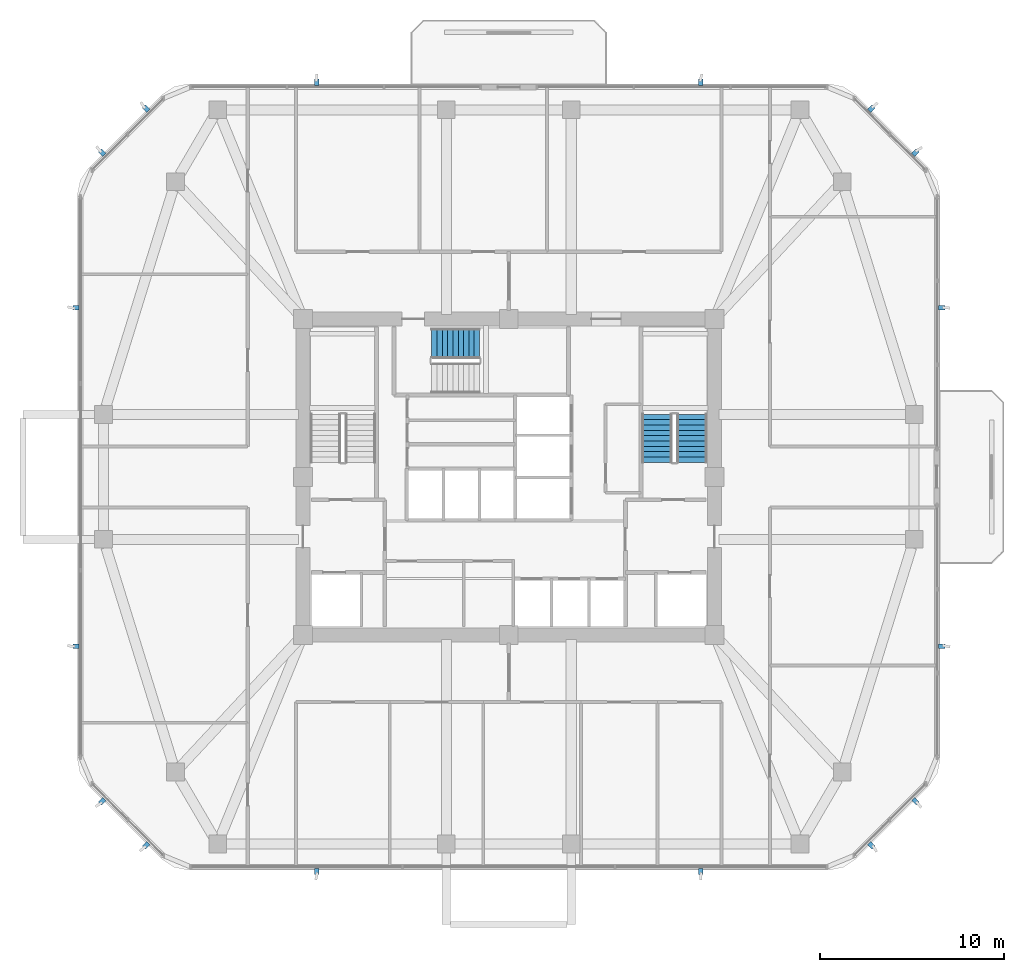
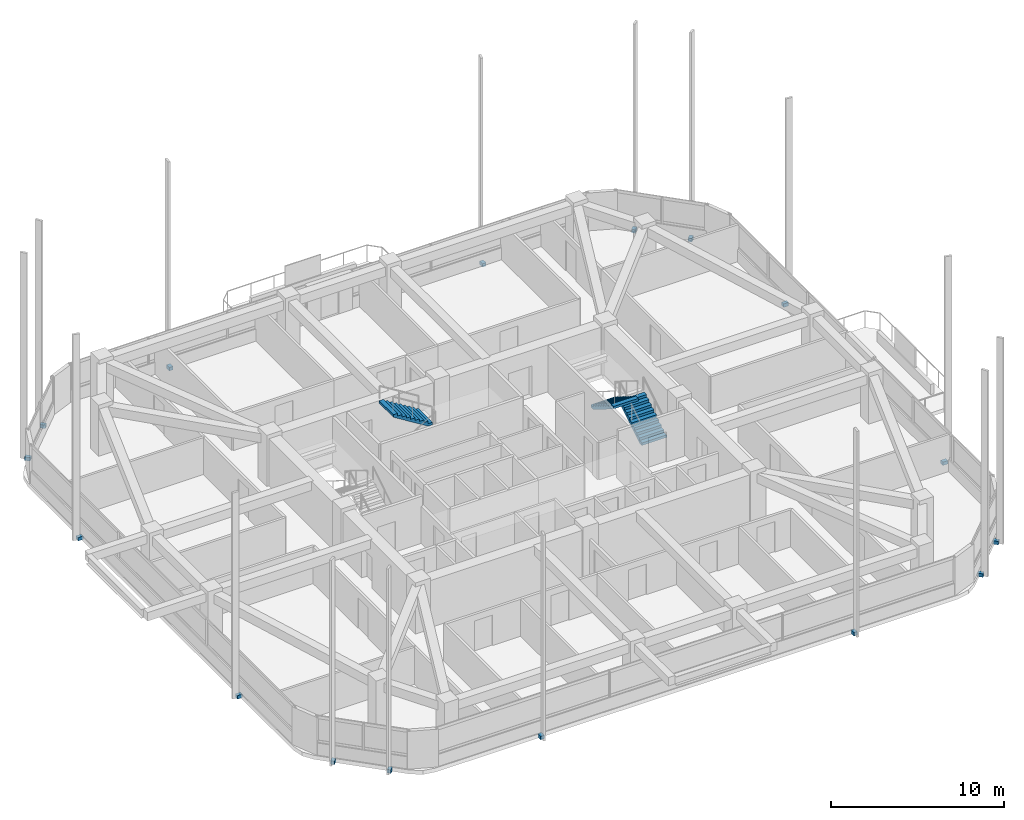
# One storey, part 11 of 14: 16 discrete accessories, 3 stair flights, 2 elements without a shape of their own.
"""IFC4 building model written with IfcOpenShell, lengths in metres."""

from ifc_helpers import new_model, si_unit, derived_unit, direction, frame, origin, origin_2d, place, context, subcontext, project, spatial, polyline, rectangle, outline, extrude, material, type_object, element, aggregate, save


model = new_model("IFC4")

# Units and contexts
model_context = context("Model", 3, precision=1e-05, world=origin(), true_north=direction((0.0, 1.0)))
body_context = subcontext(model_context, "Body", "Model", "MODEL_VIEW")
ifc_project = project(units=[si_unit("LENGTHUNIT", "METRE"), si_unit("AREAUNIT", "SQUARE_METRE"), si_unit("VOLUMEUNIT", "CUBIC_METRE"), si_unit("PLANEANGLEUNIT", "RADIAN"), si_unit("MASSUNIT", "GRAM", prefix="KILO"), derived_unit("THERMALTRANSMITTANCEUNIT", [(si_unit("POWERUNIT", "WATT"), 1), (si_unit("LENGTHUNIT", "METRE"), -2), (si_unit("THERMODYNAMICTEMPERATUREUNIT", "KELVIN"), -1)])], contexts=[model_context])

# Site, building, storey
site_placement = place(None, origin())
site = spatial("IfcSite", under=ifc_project, at=site_placement, CompositionType="ELEMENT")
building_placement = place(site_placement, origin())
building = spatial("IfcBuilding", under=site, at=building_placement, Name="Koralith Skygarden Medical Center", CompositionType="ELEMENT")
storey_placement = place(building_placement, frame((0.0, 0.0, 145.6201171875)))
storey = spatial("IfcBuildingStorey", under=building, at=storey_placement, Name="L37", CompositionType="ELEMENT", Elevation=145.6201171875)

# Stair, stair flights
ifc_material_1 = material(Name="Concrete C45/55", Category="concrete")
stair_type = type_object("IfcStairType", Name="Core Exit Dogleg Concrete Stair", PredefinedType="HALF_TURN_STAIR", material=ifc_material_1)
stair_1_placement = place(storey_placement, origin())
stair_1 = element("IfcStair", 1, at=stair_1_placement, inside=storey, type_object=stair_type, Name="L37 Smokeproof Exit Stair ST2", PredefinedType="HALF_TURN_STAIR")
stair_flight_type = type_object("IfcStairFlightType", Name="Core Exit Concrete Stair Flight 1650", PredefinedType="STRAIGHT", material=ifc_material_1)
stair_flight_1_placement = place(storey_placement, frame((46.97509765625, 26.699951171875, 0.0), z_axis=(0.0, 0.0, 1.0), x_axis=(0.0, 1.0, 0.0)))
stair_flight_1 = element("IfcStairFlight", 2, at=stair_flight_1_placement, type_object=stair_flight_type, Name="ST2 flight 1", NumberOfRisers=10, NumberOfTreads=9, PredefinedType="STRAIGHT", RiserHeight=0.18, TreadLength=0.29, context=body_context, shape_type="SweptSolid", body=[
    extrude(outline(polyline([(0.0, 0.0), (0.0, 0.179931640625), (0.2900390625, 0.179931640625), (0.2900390625, 0.360107421875), (0.580078125, 0.360107421875), (0.580078125, 0.5400390625), (0.8701171875, 0.5400390625), (0.8701171875, 0.719970703125), (1.159912109375, 0.719970703125), (1.159912109375, 0.89990234375), (1.449951171875, 0.89990234375), (1.449951171875, 1.080078125), (1.739990234375, 1.080078125), (1.739990234375, 1.260009765625), (2.030029296875, 1.260009765625), (2.030029296875, 1.43994140625), (2.320068359375, 1.43994140625), (2.320068359375, 1.6201171875), (2.610107421875, 1.6201171875), (2.610107421875, 1.800048828125), (2.610107421875, 1.443603515625), (0.2841796875, 0.0), (0.0, 0.0)])), frame((0.0, 0.824951171875, 0.0), z_axis=(0.0, -1.0, 0.0), x_axis=(1.0, 0.0, 0.0)), (0.0, 0.0, 1.0), 1.64990234375),
])
stair_flight_2_placement = place(storey_placement, frame((45.074951171875, 29.31005859375, 1.7998046875), z_axis=(0.0, 0.0, 1.0), x_axis=(0.0, -1.0, 0.0)))
stair_flight_2 = element("IfcStairFlight", 3, at=stair_flight_2_placement, type_object=stair_flight_type, Name="ST2 flight 2", NumberOfRisers=10, NumberOfTreads=9, PredefinedType="STRAIGHT", RiserHeight=0.18, TreadLength=0.29, context=body_context, shape_type="SweptSolid", body=[
    extrude(outline(polyline([(0.0, 0.0), (0.0, 0.179931640625), (0.2900390625, 0.179931640625), (0.2900390625, 0.360107421875), (0.580078125, 0.360107421875), (0.580078125, 0.5400390625), (0.8701171875, 0.5400390625), (0.8701171875, 0.719970703125), (1.159912109375, 0.719970703125), (1.159912109375, 0.89990234375), (1.449951171875, 0.89990234375), (1.449951171875, 1.080078125), (1.739990234375, 1.080078125), (1.739990234375, 1.260009765625), (2.030029296875, 1.260009765625), (2.030029296875, 1.43994140625), (2.320068359375, 1.43994140625), (2.320068359375, 1.6201171875), (2.610107421875, 1.6201171875), (2.610107421875, 1.800048828125), (2.610107421875, 1.443603515625), (0.2841796875, 0.0), (0.0, 0.0)])), frame((0.0, 0.824951171875, 0.0), z_axis=(0.0, -1.0, 0.0), x_axis=(1.0, 0.0, 0.0)), (0.0, 0.0, 1.0), 1.64990234375),
])
aggregate(stair_1, [stair_flight_1, stair_flight_2])

# Stair, stair flight
stair_2_placement = place(storey_placement, origin())
stair_2 = element("IfcStair", 4, at=stair_2_placement, inside=storey, type_object=stair_type, Name="L37 Smokeproof Exit Stair ST3", PredefinedType="HALF_TURN_STAIR")
stair_flight_3_placement = place(storey_placement, frame((35.409912109375, 33.175048828125, 1.7998046875), z_axis=(0.0, 0.0, 1.0), x_axis=(-1.0, 0.0, 0.0)))
stair_flight_3 = element("IfcStairFlight", 5, at=stair_flight_3_placement, type_object=stair_flight_type, Name="ST3 flight 2", NumberOfRisers=10, NumberOfTreads=9, PredefinedType="STRAIGHT", RiserHeight=0.18, TreadLength=0.29, context=body_context, shape_type="SweptSolid", body=[
    extrude(outline(polyline([(0.0, 0.0), (0.0, 0.179931640625), (0.2900390625, 0.179931640625), (0.2900390625, 0.360107421875), (0.580078125, 0.360107421875), (0.580078125, 0.5400390625), (0.8701171875, 0.5400390625), (0.8701171875, 0.719970703125), (1.159912109375, 0.719970703125), (1.159912109375, 0.89990234375), (1.449951171875, 0.89990234375), (1.449951171875, 1.080078125), (1.739990234375, 1.080078125), (1.739990234375, 1.260009765625), (2.030029296875, 1.260009765625), (2.030029296875, 1.43994140625), (2.320068359375, 1.43994140625), (2.320068359375, 1.6201171875), (2.610107421875, 1.6201171875), (2.610107421875, 1.800048828125), (2.610107421875, 1.443603515625), (0.2841796875, 0.0), (0.0, 0.0)])), frame((0.0, 0.824951171875, 0.0), z_axis=(0.0, -1.0, 0.0), x_axis=(1.0, 0.0, 0.0)), (0.0, 0.0, 1.0), 1.64990234375),
])
aggregate(stair_2, [stair_flight_3])

# Discrete accessories
ifc_material_2 = material(Name="Steel ASTM A572 Grade 50", Category="steel")
discrete_accessory_type = type_object("IfcDiscreteAccessoryType", Name="Facade Fin Structural Anchor Bracket", PredefinedType="BRACKET", material=ifc_material_2)
for number, where, z_axis, x_axis, name in (
    (6, (26.5400390625, 4.419921875, -0.26025390625), (0.0, 0.0, 1.0), (0.0, -1.0, 0.0), "L37 S Solar Fin Anchor Bracket 1"),
    (7, (47.4599609375, 4.419921875, -0.26025390625), (0.0, 0.0, 1.0), (0.0, -1.0, 0.0), "L37 S Solar Fin Anchor Bracket 2"),
    (8, (56.741943359375, 5.843994140625, -0.26025390625), (0.0, 0.0, 1.0), (0.707106781187, -0.707106781187, 0.0), "L37 SE Solar Fin Anchor Bracket 1"),
    (9, (59.139892578125, 8.241943359375, -0.26025390625), (0.0, 0.0, 1.0), (0.707106781187, -0.707106781187, 0.0), "L37 SE Solar Fin Anchor Bracket 2"),
    (10, (60.56396484375, 16.68994140625, -0.26025390625), (0.0, 0.0, 1.0), (1.0, 0.0, 0.0), "L37 E Solar Fin Anchor Bracket 1"),
    (11, (60.56396484375, 35.110107421875, -0.26025390625), (0.0, 0.0, 1.0), (1.0, 0.0, 0.0), "L37 E Solar Fin Anchor Bracket 2"),
    (12, (59.139892578125, 43.55810546875, -0.26025390625), (0.0, 0.0, 1.0), (0.707106781187, 0.707106781187, 0.0), "L37 NE Solar Fin Anchor Bracket 1"),
    (13, (56.741943359375, 45.9560546875, -0.26025390625), (0.0, 0.0, 1.0), (0.707106781187, 0.707106781187, 0.0), "L37 NE Solar Fin Anchor Bracket 2"),
    (14, (47.4599609375, 47.3798828125, -0.26025390625), (0.0, 0.0, 1.0), (0.0, 1.0, 0.0), "L37 N Solar Fin Anchor Bracket 1"),
    (15, (26.5400390625, 47.3798828125, -0.26025390625), (0.0, 0.0, 1.0), (0.0, 1.0, 0.0), "L37 N Solar Fin Anchor Bracket 2"),
    (16, (17.258056640625, 45.9560546875, -0.26025390625), (0.0, 0.0, 1.0), (-0.707106781187, 0.707106781187, 0.0), "L37 NW Solar Fin Anchor Bracket 1"),
    (17, (14.860107421875, 43.55810546875, -0.26025390625), (0.0, 0.0, 1.0), (-0.707106781187, 0.707106781187, 0.0), "L37 NW Solar Fin Anchor Bracket 2"),
    (18, (13.43603515625, 35.110107421875, -0.26025390625), (0.0, 0.0, 1.0), (-1.0, 0.0, 0.0), "L37 W Solar Fin Anchor Bracket 1"),
    (19, (13.43603515625, 16.68994140625, -0.26025390625), (0.0, 0.0, 1.0), (-1.0, 0.0, 0.0), "L37 W Solar Fin Anchor Bracket 2"),
    (20, (14.860107421875, 8.241943359375, -0.26025390625), (0.0, 0.0, 1.0), (-0.707106781187, -0.707106781187, 0.0), "L37 SW Solar Fin Anchor Bracket 1"),
    (21, (17.258056640625, 5.843994140625, -0.26025390625), (0.0, 0.0, 1.0), (-0.707106781187, -0.707106781187, 0.0), "L37 SW Solar Fin Anchor Bracket 2"),
):
    element("IfcDiscreteAccessory", number, at=place(storey_placement, frame(where, z_axis=z_axis, x_axis=x_axis)), inside=storey, type_object=discrete_accessory_type, Name=name, PredefinedType="BRACKET", context=body_context, shape_type="SweptSolid", body=[
        extrude(rectangle(XDim=0.340087890625, YDim=0.239990234375, at=origin_2d()), origin(), (0.0, 0.0, 1.0), 0.239990234375),
    ])

save(model, "model.ifc")
